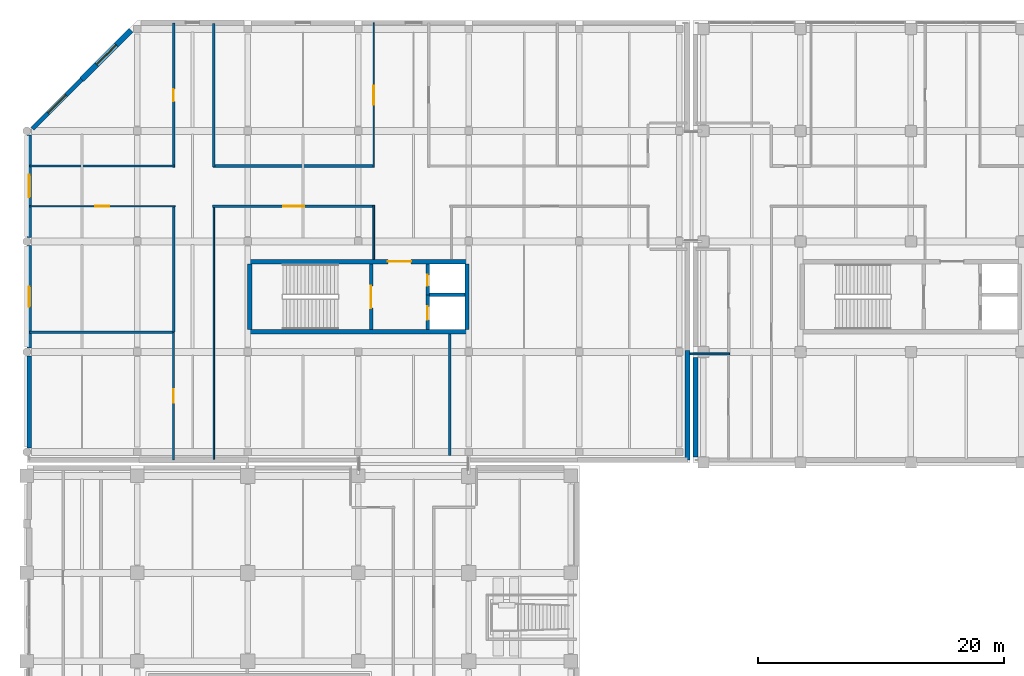
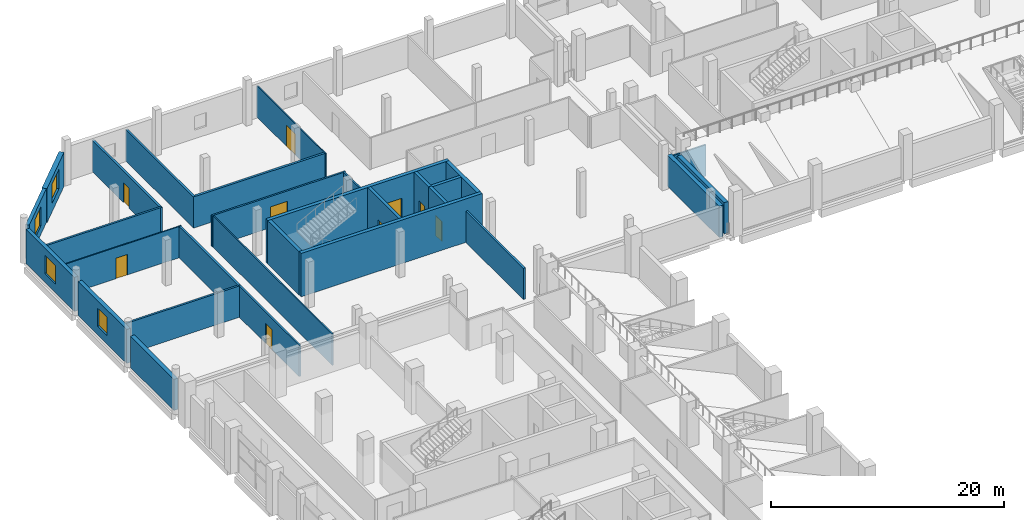
# One storey, part 66 of 100: 29 walls, 9 doors, 4 windows, 13 openings.
"""IFC4 building model written with IfcOpenShell, lengths in metres."""

from ifc_helpers import new_model, si_unit, direction, frame, frame_2d, origin, place, context, subcontext, project, spatial, rectangle, extrude, material, layer, layer_set, type_object, element, fill, save


model = new_model("IFC4")

# Units and contexts
model_context = context("Model", 3, precision=1e-05, world=origin(), true_north=direction((0.0, 1.0)))
body_context = subcontext(model_context, "Body", "Model", "MODEL_VIEW")
ifc_project = project(units=[si_unit("LENGTHUNIT", "METRE"), si_unit("AREAUNIT", "SQUARE_METRE"), si_unit("VOLUMEUNIT", "CUBIC_METRE"), si_unit("PLANEANGLEUNIT", "RADIAN"), si_unit("MASSUNIT", "GRAM", prefix="KILO"), si_unit("THERMODYNAMICTEMPERATUREUNIT", "KELVIN"), si_unit("POWERUNIT", "WATT")], contexts=[model_context])

# Site, building, storey
site_placement = place(None, origin())
site = spatial("IfcSite", under=ifc_project, at=site_placement, CompositionType="ELEMENT")
building_placement = place(site_placement, origin())
building = spatial("IfcBuilding", under=site, at=building_placement, Name="Sindhuravela Promenade Stadium", CompositionType="ELEMENT")
storey_placement = place(building_placement, frame((0.0, 0.0, 4.800048828125)))
storey = spatial("IfcBuildingStorey", under=building, at=storey_placement, Name="L01", CompositionType="ELEMENT", Elevation=4.800048828125)

# Wall, opening, window
ifc_material_1 = material(Name="Terracotta clay brick masonry (15 MPa)", Category="masonry")
ifc_layer_1 = layer(ifc_material_1, 0.340087890625)
ifc_layer_set_1 = layer_set([ifc_layer_1], Name="Terracotta clay brick masonry (15 MPa)")
wall_type_1 = type_object("IfcWallType", Name="EX-WL-BRK340", PredefinedType="SOLIDWALL", material=ifc_layer_set_1)
wall_1_placement = place(storey_placement, frame((0.469970703125, 153.18701171875, 0.0), z_axis=(0.0, 0.0, 1.0), x_axis=(0.7071067811865476, 0.7071067811865476, 0.0)))
wall_1 = element("IfcWall", 1, at=wall_1_placement, inside=storey, type_object=wall_type_1, Name="Exterior masonry wall EW06 Pavilion NW L01", PredefinedType="SOLIDWALL", context=body_context, shape_type="SweptSolid", body=[
    extrude(rectangle(XDim=5.669677734375, YDim=0.340087890625, at=frame_2d((2.8349609375, 0.0))), origin(), (0.0, 0.0, 1.0), 3.579833984375),
])
opening_1_placement = place(wall_1_placement, frame((1.809814453125, 0.0, 0.89990234375)))
opening_1 = element("IfcOpeningElement", 2, at=opening_1_placement, cuts=wall_1, Name="Opening W29", PredefinedType="OPENING", context=body_context, shape_type="SweptSolid", body=[
    extrude(rectangle(XDim=2.050048828125, YDim=2.0, at=frame_2d((1.02490234375, 1.0))), frame((0.0, 0.179931640625, 0.0), z_axis=(0.0, -1.0, 0.0), x_axis=(1.0, 0.0, 0.0)), (0.0, 0.0, 1.0), 0.360107421875),
])
ifc_material_2 = material(Name="Tempered laminated low-E glass", Category="glass")
window_type_1 = type_object("IfcWindowType", Name="WN-FAC-2050x2000", PartitioningType="DOUBLE_PANEL_VERTICAL", PredefinedType="WINDOW", material=ifc_material_2)
window_1_placement = place(opening_1_placement, origin())
window_1 = element("IfcWindow", 3, at=window_1_placement, inside=storey, type_object=window_type_1, Name="Window W29 Pavilion NW L01", OverallHeight=2.0, OverallWidth=2.050048828125, PartitioningType="DOUBLE_PANEL_VERTICAL", PredefinedType="WINDOW", context=body_context, shape_type="SweptSolid", body=[
    extrude(rectangle(XDim=2.050048828125, YDim=2.0, at=frame_2d((1.02490234375, 1.0))), frame((0.0, 0.030029296875, 0.0), z_axis=(0.0, -1.0, 0.0), x_axis=(1.0, 0.0, 0.0)), (0.0, 0.0, 1.0), 0.06005859375),
])
fill(opening_1, window_1)

ifc_layer_2 = layer(ifc_material_1, 0.360107421875)
ifc_layer_set_2 = layer_set([ifc_layer_2], Name="Terracotta clay brick masonry (15 MPa)")
wall_type_2 = type_object("IfcWallType", Name="EX-WL-BRK360", PredefinedType="SOLIDWALL", material=ifc_layer_set_2)
wall_2_placement = place(storey_placement, frame((0.199951171875, 144.330078125, 0.0), z_axis=(0.0, 0.0, 1.0), x_axis=(0.0, 1.0, 0.0)))
wall_2 = element("IfcWall", 4, at=wall_2_placement, inside=storey, type_object=wall_type_2, Name="Exterior masonry wall EW05 Pavilion NW L01", PredefinedType="SOLIDWALL", context=body_context, shape_type="SweptSolid", body=[
    extrude(rectangle(XDim=8.33984375, YDim=0.360107421875, at=frame_2d((4.169921875, 0.0))), origin(), (0.0, 0.0, 1.0), 3.579833984375),
])
opening_2_placement = place(wall_2_placement, frame((3.2451171875, 0.0, 0.89990234375)))
opening_2 = element("IfcOpeningElement", 5, at=opening_2_placement, cuts=wall_2, Name="Opening W28", PredefinedType="OPENING", context=body_context, shape_type="SweptSolid", body=[
    extrude(rectangle(XDim=1.85009765625, YDim=1.949951171875, at=frame_2d((0.925048828125, 0.97509765625))), frame((0.0, 0.18994140625, 0.0), z_axis=(0.0, -1.0, 0.0), x_axis=(1.0, 0.0, 0.0)), (0.0, 0.0, 1.0), 0.380126953125),
])
window_type_2 = type_object("IfcWindowType", Name="WN-FAC-1850x1950", PartitioningType="DOUBLE_PANEL_VERTICAL", PredefinedType="WINDOW", material=ifc_material_2)
window_2_placement = place(opening_2_placement, origin())
window_2 = element("IfcWindow", 6, at=window_2_placement, inside=storey, type_object=window_type_2, Name="Window W28 Pavilion NW L01", OverallHeight=1.949951171875, OverallWidth=1.85009765625, PartitioningType="DOUBLE_PANEL_VERTICAL", PredefinedType="WINDOW", context=body_context, shape_type="SweptSolid", body=[
    extrude(rectangle(XDim=1.85009765625, YDim=1.949951171875, at=frame_2d((0.925048828125, 0.97509765625))), frame((0.0, 0.030029296875, 0.0), z_axis=(0.0, -1.0, 0.0), x_axis=(1.0, 0.0, 0.0)), (0.0, 0.0, 1.0), 0.06005859375),
])
fill(opening_2, window_2)

ifc_layer_3 = layer(ifc_material_1, 0.3798828125)
ifc_layer_set_3 = layer_set([ifc_layer_3], Name="Terracotta clay brick masonry (15 MPa)")
wall_type_3 = type_object("IfcWallType", Name="EX-WL-BRK380", PredefinedType="SOLIDWALL", material=ifc_layer_set_3)
wall_3_placement = place(storey_placement, frame((0.199951171875, 135.330078125, 0.0), z_axis=(0.0, 0.0, 1.0), x_axis=(0.0, 1.0, 0.0)))
wall_3 = element("IfcWall", 7, at=wall_3_placement, inside=storey, type_object=wall_type_3, Name="Exterior masonry wall EW04 Pavilion NW L01", PredefinedType="SOLIDWALL", context=body_context, shape_type="SweptSolid", body=[
    extrude(rectangle(XDim=8.33984375, YDim=0.3798828125, at=frame_2d((4.169921875, 0.0))), origin(), (0.0, 0.0, 1.0), 3.579833984375),
])
opening_3_placement = place(wall_3_placement, frame((3.344970703125, 0.0, 0.89990234375)))
opening_3 = element("IfcOpeningElement", 8, at=opening_3_placement, cuts=wall_3, Name="Opening W27", PredefinedType="OPENING", context=body_context, shape_type="SweptSolid", body=[
    extrude(rectangle(XDim=1.64990234375, YDim=1.89990234375, at=frame_2d((0.824951171875, 0.949951171875))), frame((0.0, 0.199951171875, 0.0), z_axis=(0.0, -1.0, 0.0), x_axis=(1.0, 0.0, 0.0)), (0.0, 0.0, 1.0), 0.39990234375),
])
window_type_3 = type_object("IfcWindowType", Name="WN-FAC-1650x1900", PartitioningType="SINGLE_PANEL", PredefinedType="WINDOW", material=ifc_material_2)
window_3_placement = place(opening_3_placement, origin())
window_3 = element("IfcWindow", 9, at=window_3_placement, inside=storey, type_object=window_type_3, Name="Window W27 Pavilion NW L01", OverallHeight=1.89990234375, OverallWidth=1.64990234375, PartitioningType="SINGLE_PANEL", PredefinedType="WINDOW", context=body_context, shape_type="SweptSolid", body=[
    extrude(rectangle(XDim=1.64990234375, YDim=1.89990234375, at=frame_2d((0.824951171875, 0.949951171875))), frame((0.0, 0.030029296875, 0.0), z_axis=(0.0, -1.0, 0.0), x_axis=(1.0, 0.0, 0.0)), (0.0, 0.0, 1.0), 0.06005859375),
])
fill(opening_3, window_3)

# Walls
ifc_layer_4 = layer(ifc_material_1, 0.39990234375)
ifc_layer_set_4 = layer_set([ifc_layer_4], Name="Terracotta clay brick masonry (15 MPa)")
wall_type_4 = type_object("IfcWallType", Name="EX-WL-BRK400", PredefinedType="SOLIDWALL", material=ifc_layer_set_4)
wall_4_placement = place(storey_placement, frame((0.199951171875, 127.179931640625, 0.0), z_axis=(0.0, 0.0, 1.0), x_axis=(0.0, 1.0, 0.0)))
element("IfcWall", 10, at=wall_4_placement, inside=storey, type_object=wall_type_4, Name="Exterior masonry wall EW03 Pavilion NW L01", PredefinedType="SOLIDWALL", context=body_context, shape_type="SweptSolid", body=[
    extrude(rectangle(XDim=7.489990234375, YDim=0.39990234375, at=frame_2d((3.7451171875, 0.0))), origin(), (0.0, 0.0, 1.0), 3.280029296875),
])
wall_5_placement = place(storey_placement, frame((53.800048828125, 135.10009765625, 0.0), z_axis=(0.0, 0.0, 1.0), x_axis=(0.0, -1.0, 0.0)))
element("IfcWall", 11, at=wall_5_placement, inside=storey, type_object=wall_type_4, Name="Exterior masonry wall EW03 Pavilion NW L01", PredefinedType="SOLIDWALL", context=body_context, shape_type="SweptSolid", body=[
    extrude(rectangle(XDim=8.900146484375, YDim=0.39990234375, at=frame_2d((4.4501953125, 0.0))), origin(), (0.0, 0.0, 1.0), 3.280029296875),
])
ifc_layer_5 = layer(ifc_material_1, 0.419921875)
ifc_layer_set_5 = layer_set([ifc_layer_5], Name="Terracotta clay brick masonry (15 MPa)")
wall_type_5 = type_object("IfcWallType", Name="EX-WL-BRK420", PredefinedType="SOLIDWALL", material=ifc_layer_set_5)
wall_6_placement = place(storey_placement, frame((54.449951171875, 126.455078125, 0.0), z_axis=(0.0, 0.0, 1.0), x_axis=(0.0, 1.0, 0.0)))
element("IfcWall", 12, at=wall_6_placement, inside=storey, type_object=wall_type_5, Name="Exterior masonry wall EW02 NORTH L01", PredefinedType="SOLIDWALL", context=body_context, shape_type="SweptSolid", body=[
    extrude(rectangle(XDim=8.08984375, YDim=0.419921875, at=frame_2d((4.044921875, 0.0))), origin(), (0.0, 0.0, 1.0), 3.280029296875),
])

# Wall, opening, window
ifc_layer_6 = layer(ifc_material_1, 0.4599609375)
ifc_layer_set_6 = layer_set([ifc_layer_6], Name="Terracotta clay brick masonry (15 MPa)")
wall_type_6 = type_object("IfcWallType", Name="EX-WL-BRK460", PredefinedType="SOLIDWALL", material=ifc_layer_set_6)
wall_7_placement = place(storey_placement, frame((4.47900390625, 157.196044921875, 0.0), z_axis=(0.0, 0.0, 1.0), x_axis=(0.7070852496391992, 0.7071283120782759, 0.0)))
wall_7 = element("IfcWall", 13, at=wall_7_placement, inside=storey, type_object=wall_type_6, Name="Exterior masonry wall EW01 Pavilion NW L01", PredefinedType="SOLIDWALL", context=body_context, shape_type="SweptSolid", body=[
    extrude(rectangle(XDim=5.66943359375, YDim=0.4599609375, at=frame_2d((2.834716796875, 0.0))), origin(), (0.0, 0.0, 1.0), 3.579833984375),
])
opening_4_placement = place(wall_7_placement, frame((1.709716796875, 0.0, 0.89990234375)))
opening_4 = element("IfcOpeningElement", 14, at=opening_4_placement, cuts=wall_7, Name="Opening W30", PredefinedType="OPENING", context=body_context, shape_type="SweptSolid", body=[
    extrude(rectangle(XDim=2.25, YDim=2.050048828125, at=frame_2d((1.125, 1.02490234375))), frame((0.0, 0.239990234375, 0.0), z_axis=(0.0, -1.0, 0.0), x_axis=(1.0, 0.0, 0.0)), (0.0, 0.0, 1.0), 0.47998046875),
])
window_type_4 = type_object("IfcWindowType", Name="WN-FAC-2250x2050", PartitioningType="DOUBLE_PANEL_VERTICAL", PredefinedType="WINDOW", material=ifc_material_2)
window_4_placement = place(opening_4_placement, origin())
window_4 = element("IfcWindow", 15, at=window_4_placement, inside=storey, type_object=window_type_4, Name="Window W30 Pavilion NW L01", OverallHeight=2.050048828125, OverallWidth=2.25, PartitioningType="DOUBLE_PANEL_VERTICAL", PredefinedType="WINDOW", context=body_context, shape_type="SweptSolid", body=[
    extrude(rectangle(XDim=2.25, YDim=2.050048828125, at=frame_2d((1.125, 1.02490234375))), frame((0.0, 0.030029296875, 0.0), z_axis=(0.0, -1.0, 0.0), x_axis=(1.0, 0.0, 0.0)), (0.0, 0.0, 1.0), 0.06005859375),
])
fill(opening_4, window_4)

# Wall, opening, door
ifc_material_3 = material(Name="Fire-rated gypsum partition board", Category="gypsum")
ifc_layer_7 = layer(ifc_material_3, 0.110107421875)
ifc_layer_set_7 = layer_set([ifc_layer_7], Name="Fire-rated gypsum partition board")
wall_type_7 = type_object("IfcWallType", Name="IN-WL-PAR110", PredefinedType="PARTITIONING", material=ifc_layer_set_7)
wall_8_placement = place(storey_placement, frame((28.260009765625, 150.02001953125, 0.0), z_axis=(0.0, 0.0, 1.0), x_axis=(0.0, 1.0, 0.0)))
wall_8 = element("IfcWall", 16, at=wall_8_placement, inside=storey, type_object=wall_type_7, Name="Corridor partition IW06 Refreshment Counter NW L01", PredefinedType="PARTITIONING", context=body_context, shape_type="SweptSolid", body=[
    extrude(rectangle(XDim=11.780029296875, YDim=0.110107421875, at=frame_2d((5.89013671875, 0.0))), origin(), (0.0, 0.0, 1.0), 3.280029296875),
])
opening_5_placement = place(wall_8_placement, frame((5.114990234375, 0.0, 0.0)))
opening_5 = element("IfcOpeningElement", 17, at=opening_5_placement, cuts=wall_8, Name="Opening ID02", PredefinedType="OPENING", context=body_context, shape_type="SweptSolid", body=[
    extrude(rectangle(XDim=1.550048828125, YDim=2.199951171875, at=frame_2d((0.77490234375, 1.10009765625))), frame((0.0, 0.06494140625, 0.0), z_axis=(0.0, -1.0, 0.0), x_axis=(1.0, 0.0, 0.0)), (0.0, 0.0, 1.0), 0.130126953125),
])
ifc_material_4 = material(Name="Architectural teak timber leaf", Category="wood")
door_type_1 = type_object("IfcDoorType", Name="DR-INT-1550x2200", OperationType="DOUBLE_DOOR_SINGLE_SWING", PredefinedType="DOOR", material=ifc_material_4)
door_1_placement = place(opening_5_placement, origin())
door_1 = element("IfcDoor", 18, at=door_1_placement, inside=storey, type_object=door_type_1, Name="Refreshment Counter NW L01 door", OperationType="DOUBLE_DOOR_SINGLE_SWING", OverallHeight=2.199951171875, OverallWidth=1.550048828125, PredefinedType="DOOR", context=body_context, shape_type="SweptSolid", body=[
    extrude(rectangle(XDim=1.550048828125, YDim=2.199951171875, at=frame_2d((0.77490234375, 1.10009765625))), frame((0.0, 0.02490234375, 0.0), z_axis=(0.0, -1.0, 0.0), x_axis=(1.0, 0.0, 0.0)), (0.0, 0.0, 1.0), 0.050048828125),
])
fill(opening_5, door_1)

wall_9_placement = place(storey_placement, frame((12.080078125, 146.860107421875, 0.0), z_axis=(0.0, 0.0, 1.0), x_axis=(-1.0, 0.0, 0.0)))
wall_9 = element("IfcWall", 19, at=wall_9_placement, inside=storey, type_object=wall_type_7, Name="Corridor partition IW06 Gate Concourse Foyer NW L01 2", PredefinedType="PARTITIONING", context=body_context, shape_type="SweptSolid", body=[
    extrude(rectangle(XDim=11.880126953125, YDim=0.110107421875, at=frame_2d((5.93994140625, 0.0))), origin(), (0.0, 0.0, 1.0), 3.280029296875),
])
opening_6_placement = place(wall_9_placement, frame((5.364990234375, 0.0, 0.0)))
opening_6 = element("IfcOpeningElement", 20, at=opening_6_placement, cuts=wall_9, Name="Opening ID05", PredefinedType="OPENING", context=body_context, shape_type="SweptSolid", body=[
    extrude(rectangle(XDim=1.14990234375, YDim=2.14990234375, at=frame_2d((0.574951171875, 1.074951171875))), frame((0.0, 0.06494140625, 0.0), z_axis=(0.0, -1.0, 0.0), x_axis=(1.0, 0.0, 0.0)), (0.0, 0.0, 1.0), 0.130126953125),
])
door_type_2 = type_object("IfcDoorType", Name="DR-INT-1150x2150", OperationType="NOTDEFINED", PredefinedType="DOOR", material=ifc_material_4)
door_2_placement = place(opening_6_placement, origin())
door_2 = element("IfcDoor", 21, at=door_2_placement, inside=storey, type_object=door_type_2, Name="Gate Concourse Foyer NW L01 2 door", OperationType="SINGLE_SWING_LEFT", OverallHeight=2.14990234375, OverallWidth=1.14990234375, PredefinedType="DOOR", context=body_context, shape_type="SweptSolid", body=[
    extrude(rectangle(XDim=1.14990234375, YDim=2.14990234375, at=frame_2d((0.574951171875, 1.074951171875))), frame((0.0, 0.02490234375, 0.0), z_axis=(0.0, -1.0, 0.0), x_axis=(1.0, 0.0, 0.0)), (0.0, 0.0, 1.0), 0.050048828125),
])
fill(opening_6, door_2)

# Walls
ifc_layer_8 = layer(ifc_material_3, 0.1298828125)
ifc_layer_set_8 = layer_set([ifc_layer_8], Name="Fire-rated gypsum partition board")
wall_type_8 = type_object("IfcWallType", Name="IN-WL-PAR130", PredefinedType="PARTITIONING", material=ifc_layer_set_8)
wall_10_placement = place(storey_placement, frame((15.239990234375, 126.239990234375, 0.0), z_axis=(0.0, 0.0, 1.0), x_axis=(0.0, 1.0, 0.0)))
element("IfcWall", 22, at=wall_10_placement, inside=storey, type_object=wall_type_8, Name="Interior partition IW05 Pavilion NW L01", PredefinedType="PARTITIONING", context=body_context, shape_type="SweptSolid", body=[
    extrude(rectangle(XDim=20.699951171875, YDim=0.1298828125, at=frame_2d((10.35009765625, 0.0))), origin(), (0.0, 0.0, 1.0), 3.280029296875),
])
ifc_layer_9 = layer(ifc_material_3, 0.14990234375)
ifc_layer_set_9 = layer_set([ifc_layer_9], Name="Fire-rated gypsum partition board")
wall_type_9 = type_object("IfcWallType", Name="IN-WL-PAR150", PredefinedType="PARTITIONING", material=ifc_layer_set_9)
wall_11_placement = place(storey_placement, frame((57.239990234375, 134.840087890625, 0.0), z_axis=(0.0, 0.0, 1.0), x_axis=(-1.0, 0.0, 0.0)))
element("IfcWall", 23, at=wall_11_placement, inside=storey, type_object=wall_type_9, Name="Interior partition IW04 NORTH L01", PredefinedType="PARTITIONING", context=body_context, shape_type="SweptSolid", body=[
    extrude(rectangle(XDim=3.237060546875, YDim=0.14990234375, at=frame_2d((1.61865234375, 0.0))), origin(), (0.0, 0.0, 1.0), 3.280029296875),
])
wall_12_placement = place(storey_placement, frame((28.260009765625, 146.93994140625, 0.0), z_axis=(0.0, 0.0, 1.0), x_axis=(0.0, -1.0, 0.0)))
element("IfcWall", 24, at=wall_12_placement, inside=storey, type_object=wall_type_9, Name="Interior partition IW04 Pavilion NW L01", PredefinedType="PARTITIONING", context=body_context, shape_type="SweptSolid", body=[
    extrude(rectangle(XDim=4.412841796875, YDim=0.14990234375, at=frame_2d((2.20654296875, 0.0))), origin(), (0.0, 0.0, 1.0), 3.280029296875),
])

# Wall, opening, door
ifc_layer_10 = layer(ifc_material_3, 0.175048828125)
ifc_layer_set_10 = layer_set([ifc_layer_10], Name="Fire-rated gypsum partition board")
wall_type_10 = type_object("IfcWallType", Name="IN-WL-PAR175", PredefinedType="PARTITIONING", material=ifc_layer_set_10)
wall_13_placement = place(storey_placement, frame((28.3798828125, 146.860107421875, 0.0), z_axis=(0.0, 0.0, 1.0), x_axis=(-1.0, 0.0, 0.0)))
wall_13 = element("IfcWall", 25, at=wall_13_placement, inside=storey, type_object=wall_type_10, Name="Corridor partition IW03 Supporters Information Lounge NW", PredefinedType="PARTITIONING", context=body_context, shape_type="SweptSolid", body=[
    extrude(rectangle(XDim=13.259765625, YDim=0.175048828125, at=frame_2d((6.6298828125, 0.0))), origin(), (0.0, 0.0, 1.0), 3.280029296875),
])
opening_7_placement = place(wall_13_placement, frame((5.780029296875, 0.0, 0.0)))
opening_7 = element("IfcOpeningElement", 26, at=opening_7_placement, cuts=wall_13, Name="Opening ID01", PredefinedType="OPENING", context=body_context, shape_type="SweptSolid", body=[
    extrude(rectangle(XDim=1.699951171875, YDim=2.199951171875, at=frame_2d((0.85009765625, 1.10009765625))), frame((0.0, 0.097412109375, 0.0), z_axis=(0.0, -1.0, 0.0), x_axis=(1.0, 0.0, 0.0)), (0.0, 0.0, 1.0), 0.195068359375),
])
door_type_3 = type_object("IfcDoorType", Name="DR-INT-1700x2200", OperationType="DOUBLE_DOOR_SINGLE_SWING", PredefinedType="DOOR", material=ifc_material_4)
door_3_placement = place(opening_7_placement, origin())
door_3 = element("IfcDoor", 27, at=door_3_placement, inside=storey, type_object=door_type_3, Name="Supporters Information Lounge NW door", OperationType="DOUBLE_DOOR_SINGLE_SWING", OverallHeight=2.199951171875, OverallWidth=1.699951171875, PredefinedType="DOOR", context=body_context, shape_type="SweptSolid", body=[
    extrude(rectangle(XDim=1.699951171875, YDim=2.199951171875, at=frame_2d((0.85009765625, 1.10009765625))), frame((0.0, 0.02490234375, 0.0), z_axis=(0.0, -1.0, 0.0), x_axis=(1.0, 0.0, 0.0)), (0.0, 0.0, 1.0), 0.050048828125),
])
fill(opening_7, door_3)

wall_14_placement = place(storey_placement, frame((11.9599609375, 126.199951171875, 0.0), z_axis=(0.0, 0.0, 1.0), x_axis=(0.0, 1.0, 0.0)))
wall_14 = element("IfcWall", 28, at=wall_14_placement, inside=storey, type_object=wall_type_10, Name="Corridor partition IW03 Supporters Information Lounge NW 3", PredefinedType="PARTITIONING", context=body_context, shape_type="SweptSolid", body=[
    extrude(rectangle(XDim=10.39013671875, YDim=0.175048828125, at=frame_2d((5.195068359375, 0.0))), origin(), (0.0, 0.0, 1.0), 3.280029296875),
])
opening_8_placement = place(wall_14_placement, frame((4.64501953125, 0.0, 0.0)))
opening_8 = element("IfcOpeningElement", 29, at=opening_8_placement, cuts=wall_14, Name="Opening ID06", PredefinedType="OPENING", context=body_context, shape_type="SweptSolid", body=[
    extrude(rectangle(XDim=1.10009765625, YDim=2.10009765625, at=frame_2d((0.550048828125, 1.050048828125))), frame((0.0, 0.097412109375, 0.0), z_axis=(0.0, -1.0, 0.0), x_axis=(1.0, 0.0, 0.0)), (0.0, 0.0, 1.0), 0.195068359375),
])
door_type_4 = type_object("IfcDoorType", Name="DR-INT-1100x2100", OperationType="NOTDEFINED", PredefinedType="DOOR", material=ifc_material_4)
door_4_placement = place(opening_8_placement, origin())
door_4 = element("IfcDoor", 30, at=door_4_placement, inside=storey, type_object=door_type_4, Name="Supporters Information Lounge NW 3 door", OperationType="SINGLE_SWING_RIGHT", OverallHeight=2.10009765625, OverallWidth=1.10009765625, PredefinedType="DOOR", context=body_context, shape_type="SweptSolid", body=[
    extrude(rectangle(XDim=1.10009765625, YDim=2.10009765625, at=frame_2d((0.550048828125, 1.050048828125))), frame((0.0, 0.02490234375, 0.0), z_axis=(0.0, -1.0, 0.0), x_axis=(1.0, 0.0, 0.0)), (0.0, 0.0, 1.0), 0.050048828125),
])
fill(opening_8, door_4)

# Walls
ifc_layer_11 = layer(ifc_material_3, 0.195068359375)
ifc_layer_set_11 = layer_set([ifc_layer_11], Name="Fire-rated gypsum partition board")
wall_type_11 = type_object("IfcWallType", Name="IN-WL-PAR195", PredefinedType="PARTITIONING", material=ifc_layer_set_11)
wall_15_placement = place(storey_placement, frame((34.4599609375, 126.570068359375, 0.0), z_axis=(0.0, 0.0, 1.0), x_axis=(0.0, 1.0, 0.0)))
element("IfcWall", 31, at=wall_15_placement, inside=storey, type_object=wall_type_11, Name="Interior partition IW02 Pavilion NW L01", PredefinedType="PARTITIONING", context=body_context, shape_type="SweptSolid", body=[
    extrude(rectangle(XDim=9.90283203125, YDim=0.195068359375, at=frame_2d((4.951416015625, 0.0))), origin(), (0.0, 0.0, 1.0), 3.280029296875),
])
wall_16_placement = place(storey_placement, frame((15.239990234375, 150.06005859375, 0.0), z_axis=(0.0, 0.0, 1.0), x_axis=(0.0, 1.0, 0.0)))
element("IfcWall", 32, at=wall_16_placement, inside=storey, type_object=wall_type_11, Name="Interior partition IW02 Pavilion NW L01", PredefinedType="PARTITIONING", context=body_context, shape_type="SweptSolid", body=[
    extrude(rectangle(XDim=11.699951171875, YDim=0.195068359375, at=frame_2d((5.85009765625, 0.0))), origin(), (0.0, 0.0, 1.0), 3.280029296875),
])
for number, where, z_axis, x_axis, name in (
    (33, (12.0400390625, 136.590087890625, 0.0), (0.0, 0.0, 1.0), (-1.0, 0.0, 0.0), "Interior partition IW02 Pavilion NW L01"),
    (34, (12.0400390625, 150.139892578125, 0.0), (0.0, 0.0, 1.0), (-1.0, 0.0, 0.0), "Interior partition IW02 Pavilion NW L01"),
):
    element("IfcWall", number, at=place(storey_placement, frame(where, z_axis=z_axis, x_axis=x_axis)), inside=storey, type_object=wall_type_11, Name=name, PredefinedType="PARTITIONING", context=body_context, shape_type="SweptSolid", body=[
        extrude(rectangle(XDim=11.800048828125, YDim=0.195068359375, at=frame_2d((5.89990234375, 0.0))), origin(), (0.0, 0.0, 1.0), 3.280029296875),
    ])
ifc_layer_12 = layer(ifc_material_3, 0.219970703125)
ifc_layer_set_12 = layer_set([ifc_layer_12], Name="Fire-rated gypsum partition board")
wall_type_12 = type_object("IfcWallType", Name="IN-WL-PAR220", PredefinedType="PARTITIONING", material=ifc_layer_set_12)
wall_17_placement = place(storey_placement, frame((28.340087890625, 150.139892578125, 0.0), z_axis=(0.0, 0.0, 1.0), x_axis=(-1.0, 0.0, 0.0)))
element("IfcWall", 35, at=wall_17_placement, inside=storey, type_object=wall_type_12, Name="Interior partition IW01 Pavilion NW L01", PredefinedType="PARTITIONING", context=body_context, shape_type="SweptSolid", body=[
    extrude(rectangle(XDim=13.18017578125, YDim=0.219970703125, at=frame_2d((6.590087890625, 0.0))), origin(), (0.0, 0.0, 1.0), 3.280029296875),
])
wall_18_placement = place(storey_placement, frame((11.9599609375, 146.93994140625, 0.0), z_axis=(0.0, 0.0, 1.0), x_axis=(0.0, -1.0, 0.0)))
element("IfcWall", 36, at=wall_18_placement, inside=storey, type_object=wall_type_12, Name="Interior partition IW01 Pavilion NW L01", PredefinedType="PARTITIONING", context=body_context, shape_type="SweptSolid", body=[
    extrude(rectangle(XDim=10.31005859375, YDim=0.219970703125, at=frame_2d((5.155029296875, 0.0))), origin(), (0.0, 0.0, 1.0), 3.280029296875),
])

# Wall, opening, door
wall_19_placement = place(storey_placement, frame((11.9599609375, 150.02001953125, 0.0), z_axis=(0.0, 0.0, 1.0), x_axis=(0.0, 1.0, 0.0)))
wall_19 = element("IfcWall", 37, at=wall_19_placement, inside=storey, type_object=wall_type_12, Name="Corridor partition IW01 Accessible WC NW L01 5", PredefinedType="PARTITIONING", context=body_context, shape_type="SweptSolid", body=[
    extrude(rectangle(XDim=11.780029296875, YDim=0.219970703125, at=frame_2d((5.89013671875, 0.0))), origin(), (0.0, 0.0, 1.0), 3.280029296875),
])
opening_9_placement = place(wall_19_placement, frame((5.389892578125, 0.0, 0.0)))
opening_9 = element("IfcOpeningElement", 38, at=opening_9_placement, cuts=wall_19, Name="Opening ID08", PredefinedType="OPENING", context=body_context, shape_type="SweptSolid", body=[
    extrude(rectangle(XDim=1.0, YDim=2.10009765625, at=frame_2d((0.5, 1.050048828125))), frame((0.0, 0.119873046875, 0.0), z_axis=(0.0, -1.0, 0.0), x_axis=(1.0, 0.0, 0.0)), (0.0, 0.0, 1.0), 0.239990234375),
])
door_type_5 = type_object("IfcDoorType", Name="DR-INT-1000x2100", OperationType="NOTDEFINED", PredefinedType="DOOR", material=ifc_material_4)
door_5_placement = place(opening_9_placement, origin())
door_5 = element("IfcDoor", 39, at=door_5_placement, inside=storey, type_object=door_type_5, Name="Accessible WC NW L01 5 door", OperationType="SINGLE_SWING_RIGHT", OverallHeight=2.10009765625, OverallWidth=1.0, PredefinedType="DOOR", context=body_context, shape_type="SweptSolid", body=[
    extrude(rectangle(XDim=1.0, YDim=2.10009765625, at=frame_2d((0.5, 1.050048828125))), frame((0.0, 0.02490234375, 0.0), z_axis=(0.0, -1.0, 0.0), x_axis=(1.0, 0.0, 0.0)), (0.0, 0.0, 1.0), 0.050048828125),
])
fill(opening_9, door_5)

ifc_material_5 = material(Name="Concrete M50", Category="concrete")
ifc_layer_13 = layer(ifc_material_5, 0.300048828125)
ifc_layer_set_13 = layer_set([ifc_layer_13], Name="Concrete M50")
wall_type_13 = type_object("IfcWallType", Name="RC-SW-300", PredefinedType="SHEAR", material=ifc_layer_set_13)
wall_20_placement = place(storey_placement, frame((28.050048828125, 136.824951171875, 0.0), z_axis=(0.0, 0.0, 1.0), x_axis=(0.0, 1.0, 0.0)))
wall_20 = element("IfcWall", 40, at=wall_20_placement, inside=storey, type_object=wall_type_13, Name="Core shear wall C15-ST (L01)", PredefinedType="SHEAR", context=body_context, shape_type="SweptSolid", body=[
    extrude(rectangle(XDim=5.35009765625, YDim=0.300048828125, at=frame_2d((2.675048828125, 0.0))), origin(), (0.0, 0.0, 1.0), 4.56494140625),
])
opening_10_placement = place(wall_20_placement, frame((1.75, 0.0, 0.0)))
opening_10 = element("IfcOpeningElement", 41, at=opening_10_placement, cuts=wall_20, Name="Opening FD01", PredefinedType="OPENING", context=body_context, shape_type="SweptSolid", body=[
    extrude(rectangle(XDim=1.800048828125, YDim=2.25, at=frame_2d((0.89990234375, 1.125))), frame((0.0, 0.159912109375, 0.0), z_axis=(0.0, -1.0, 0.0), x_axis=(1.0, 0.0, 0.0)), (0.0, 0.0, 1.0), 0.320068359375),
])
ifc_material_6 = material(Name="Architectural wrought steel E350", Category="steel")
door_type_6 = type_object("IfcDoorType", Name="DR-CORE-1800x2250", OperationType="DOUBLE_DOOR_SINGLE_SWING", PredefinedType="DOOR", material=ifc_material_6)
door_6_placement = place(opening_10_placement, origin())
door_6 = element("IfcDoor", 42, at=door_6_placement, inside=storey, type_object=door_type_6, Name="Stair GS03 lobby fire door (L01)", OperationType="DOUBLE_DOOR_SINGLE_SWING", OverallHeight=2.25, OverallWidth=1.800048828125, PredefinedType="DOOR", context=body_context, shape_type="SweptSolid", body=[
    extrude(rectangle(XDim=1.800048828125, YDim=2.25, at=frame_2d((0.89990234375, 1.125))), frame((0.0, 0.02490234375, 0.0), z_axis=(0.0, -1.0, 0.0), x_axis=(1.0, 0.0, 0.0)), (0.0, 0.0, 1.0), 0.050048828125),
])
fill(opening_10, door_6)

wall_21_placement = place(storey_placement, frame((32.64990234375, 136.824951171875, 0.0), z_axis=(0.0, 0.0, 1.0), x_axis=(0.0, 1.0, 0.0)))
wall_21 = element("IfcWall", 43, at=wall_21_placement, inside=storey, type_object=wall_type_13, Name="Core shear wall C15-LFT (L01)", PredefinedType="SHEAR", context=body_context, shape_type="SweptSolid", body=[
    extrude(rectangle(XDim=2.824951171875, YDim=0.300048828125, at=frame_2d((1.41259765625, 0.0))), origin(), (0.0, 0.0, 1.0), 4.56494140625),
])
opening_11_placement = place(wall_21_placement, frame((0.77490234375, 0.0, 0.0)))
opening_11 = element("IfcOpeningElement", 44, at=opening_11_placement, cuts=wall_21, Name="Opening LD", PredefinedType="OPENING", context=body_context, shape_type="SweptSolid", body=[
    extrude(rectangle(XDim=1.10009765625, YDim=2.10009765625, at=frame_2d((0.550048828125, 1.050048828125))), frame((0.0, 0.159912109375, 0.0), z_axis=(0.0, -1.0, 0.0), x_axis=(1.0, 0.0, 0.0)), (0.0, 0.0, 1.0), 0.320068359375),
])
door_type_7 = type_object("IfcDoorType", Name="DR-LFT-1100x2100", OperationType="DOUBLE_DOOR_SLIDING", PredefinedType="DOOR", material=ifc_material_6)
door_7_placement = place(opening_11_placement, origin())
door_7 = element("IfcDoor", 45, at=door_7_placement, inside=storey, type_object=door_type_7, Name="Lift PL07 landing door (L01)", OperationType="DOUBLE_DOOR_SLIDING", OverallHeight=2.10009765625, OverallWidth=1.10009765625, PredefinedType="DOOR", context=body_context, shape_type="SweptSolid", body=[
    extrude(rectangle(XDim=1.10009765625, YDim=2.10009765625, at=frame_2d((0.550048828125, 1.050048828125))), frame((0.0, 0.02490234375, 0.0), z_axis=(0.0, -1.0, 0.0), x_axis=(1.0, 0.0, 0.0)), (0.0, 0.0, 1.0), 0.050048828125),
])
fill(opening_11, door_7)

wall_22_placement = place(storey_placement, frame((32.64990234375, 139.64990234375, 0.0), z_axis=(0.0, 0.0, 1.0), x_axis=(0.0, 1.0, 0.0)))
wall_22 = element("IfcWall", 46, at=wall_22_placement, inside=storey, type_object=wall_type_13, Name="Core shear wall C15-RSR (L01)", PredefinedType="SHEAR", context=body_context, shape_type="SweptSolid", body=[
    extrude(rectangle(XDim=2.525146484375, YDim=0.300048828125, at=frame_2d((1.2626953125, 0.0))), origin(), (0.0, 0.0, 1.0), 4.56494140625),
])
opening_12_placement = place(wall_22_placement, frame((0.72509765625, 0.0, 0.0)))
opening_12 = element("IfcOpeningElement", 47, at=opening_12_placement, cuts=wall_22, Name="Opening FD03", PredefinedType="OPENING", context=body_context, shape_type="SweptSolid", body=[
    extrude(rectangle(XDim=0.89990234375, YDim=2.10009765625, at=frame_2d((0.449951171875, 1.050048828125))), frame((0.0, 0.159912109375, 0.0), z_axis=(0.0, -1.0, 0.0), x_axis=(1.0, 0.0, 0.0)), (0.0, 0.0, 1.0), 0.320068359375),
])
door_type_8 = type_object("IfcDoorType", Name="DR-RSR-900x2100", OperationType="NOTDEFINED", PredefinedType="DOOR", material=ifc_material_6)
door_8_placement = place(opening_12_placement, origin())
door_8 = element("IfcDoor", 48, at=door_8_placement, inside=storey, type_object=door_type_8, Name="Riser shaft access door C15 (L01)", OperationType="SINGLE_SWING_RIGHT", OverallHeight=2.10009765625, OverallWidth=0.89990234375, PredefinedType="DOOR", context=body_context, shape_type="SweptSolid", body=[
    extrude(rectangle(XDim=0.89990234375, YDim=2.10009765625, at=frame_2d((0.449951171875, 1.050048828125))), frame((0.0, 0.02490234375, 0.0), z_axis=(0.0, -1.0, 0.0), x_axis=(1.0, 0.0, 0.0)), (0.0, 0.0, 1.0), 0.050048828125),
])
fill(opening_12, door_8)

# Walls
wall_23_placement = place(storey_placement, frame((32.800048828125, 139.64990234375, 0.0), z_axis=(0.0, 0.0, 1.0), x_axis=(1.0, 0.0, 0.0)))
element("IfcWall", 49, at=wall_23_placement, inside=storey, type_object=wall_type_13, Name="Core shear wall C15-DIV (L01)", PredefinedType="SHEAR", context=body_context, shape_type="SweptSolid", body=[
    extrude(rectangle(XDim=2.875, YDim=0.300048828125, at=frame_2d((1.4375, 0.0))), origin(), (0.0, 0.0, 1.0), 4.56494140625),
])
ifc_layer_14 = layer(ifc_material_5, 0.35009765625)
ifc_layer_set_14 = layer_set([ifc_layer_14], Name="Concrete M50")
wall_type_14 = type_object("IfcWallType", Name="RC-SW-350", PredefinedType="SHEAR", material=ifc_layer_set_14)
wall_24_placement = place(storey_placement, frame((18.0, 136.64990234375, 0.0), z_axis=(0.0, 0.0, 1.0), x_axis=(1.0, 0.0, 0.0)))
element("IfcWall", 50, at=wall_24_placement, inside=storey, type_object=wall_type_14, Name="Core shear wall C15-S (L01)", PredefinedType="SHEAR", context=body_context, shape_type="SweptSolid", body=[
    extrude(rectangle(XDim=18.0, YDim=0.35009765625, at=frame_2d((9.0, 0.0))), origin(), (0.0, 0.0, 1.0), 4.56494140625),
])

# Wall, opening, door
wall_25_placement = place(storey_placement, frame((36.0, 142.35009765625, 0.0), z_axis=(0.0, 0.0, 1.0), x_axis=(-1.0, 0.0, 0.0)))
wall_25 = element("IfcWall", 51, at=wall_25_placement, inside=storey, type_object=wall_type_14, Name="Core shear wall C15-N (L01)", PredefinedType="SHEAR", context=body_context, shape_type="SweptSolid", body=[
    extrude(rectangle(XDim=18.0, YDim=0.35009765625, at=frame_2d((9.0, 0.0))), origin(), (0.0, 0.0, 1.0), 4.56494140625),
])
opening_13_placement = place(wall_25_placement, frame((4.699951171875, 0.0, 0.0)))
opening_13 = element("IfcOpeningElement", 52, at=opening_13_placement, cuts=wall_25, Name="Opening FD02", PredefinedType="OPENING", context=body_context, shape_type="SweptSolid", body=[
    extrude(rectangle(XDim=1.89990234375, YDim=2.25, at=frame_2d((0.949951171875, 1.125))), frame((0.0, 0.18505859375, 0.0), z_axis=(0.0, -1.0, 0.0), x_axis=(1.0, 0.0, 0.0)), (0.0, 0.0, 1.0), 0.3701171875),
])
door_type_9 = type_object("IfcDoorType", Name="DR-LOB-1900x2250", OperationType="DOUBLE_DOOR_SINGLE_SWING", PredefinedType="DOOR", material=ifc_material_6)
door_9_placement = place(opening_13_placement, origin())
door_9 = element("IfcDoor", 53, at=door_9_placement, inside=storey, type_object=door_type_9, Name="Protected lobby entrance door C15 (L01)", OperationType="DOUBLE_DOOR_SINGLE_SWING", OverallHeight=2.25, OverallWidth=1.89990234375, PredefinedType="DOOR", context=body_context, shape_type="SweptSolid", body=[
    extrude(rectangle(XDim=1.89990234375, YDim=2.25, at=frame_2d((0.949951171875, 1.125))), frame((0.0, 0.02490234375, 0.0), z_axis=(0.0, -1.0, 0.0), x_axis=(1.0, 0.0, 0.0)), (0.0, 0.0, 1.0), 0.050048828125),
])
fill(opening_13, door_9)

# Walls
for number, where, z_axis, x_axis, name in (
    (54, (18.14990234375, 142.175048828125, 0.0), (0.0, 0.0, 1.0), (0.0, -1.0, 0.0), "Core shear wall C15-W (L01)"),
    (55, (35.85009765625, 136.824951171875, 0.0), (0.0, 0.0, 1.0), (0.0, 1.0, 0.0), "Core shear wall C15-E (L01)"),
):
    element("IfcWall", number, at=place(storey_placement, frame(where, z_axis=z_axis, x_axis=x_axis)), inside=storey, type_object=wall_type_14, Name=name, PredefinedType="SHEAR", context=body_context, shape_type="SweptSolid", body=[
        extrude(rectangle(XDim=5.35009765625, YDim=0.35009765625, at=frame_2d((2.675048828125, 0.0))), origin(), (0.0, 0.0, 1.0), 4.56494140625),
    ])

save(model, "model.ifc")
